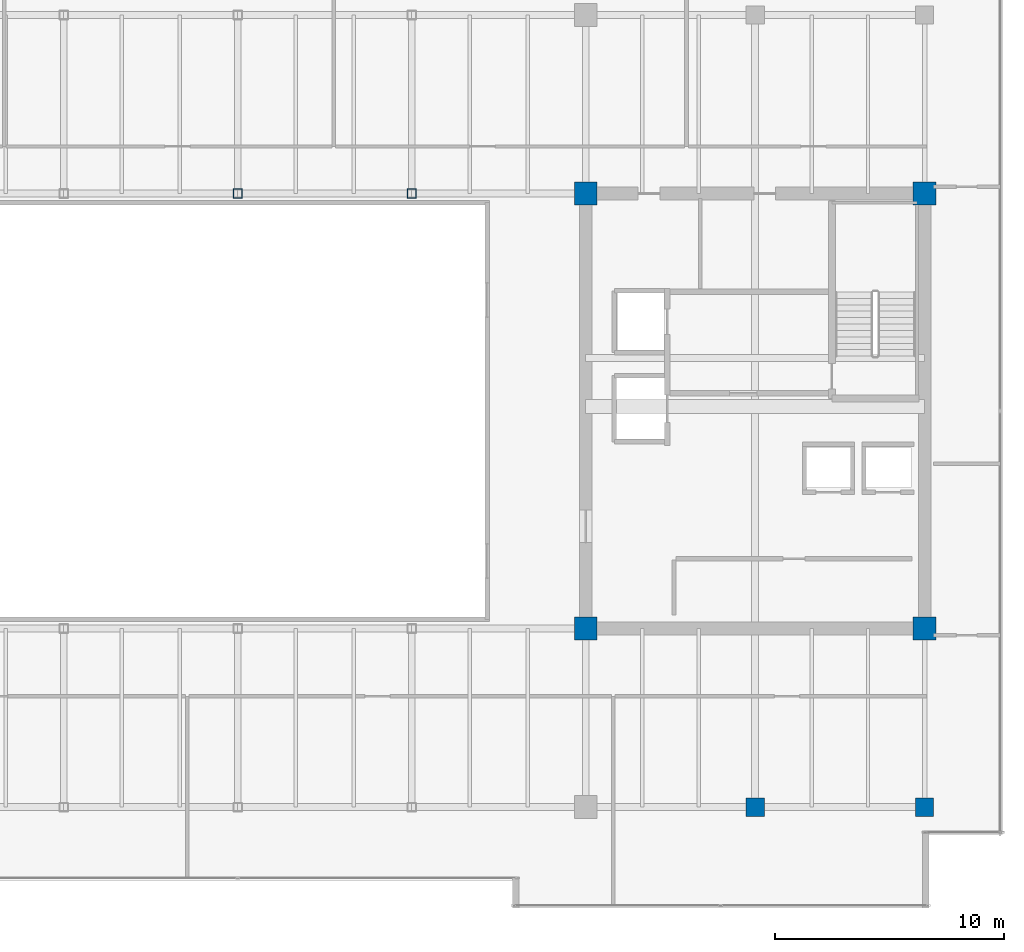
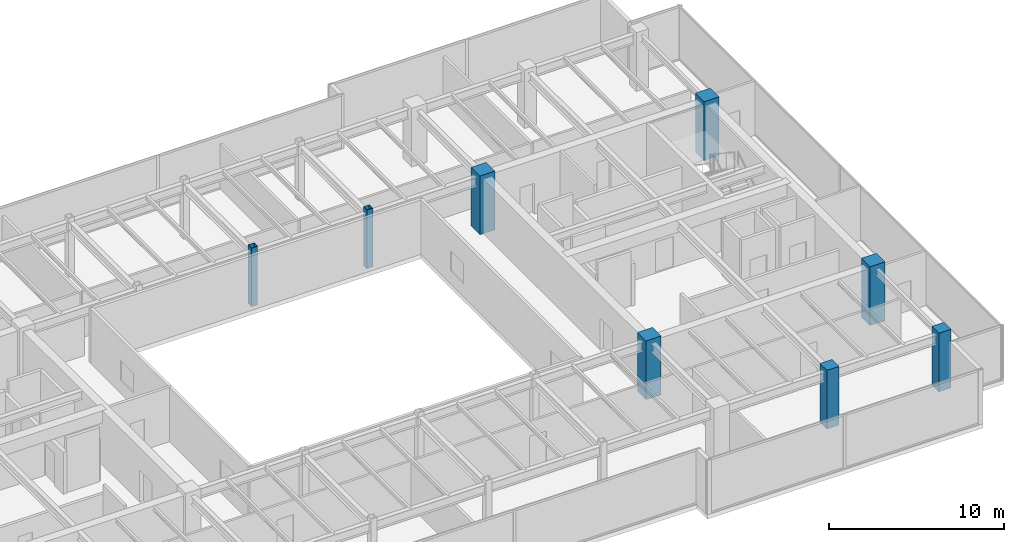
# One storey, part 2 of 33: 8 columns.
"""IFC4 building model written with IfcOpenShell, lengths in metres."""

from ifc_helpers import new_model, si_unit, direction, frame, origin, origin_2d, place, context, subcontext, project, spatial, rectangle, hollow_rectangle, extrude, source, transform, mapped, material, material_profile, profile_set, type_object, type_shapes, element, save


model = new_model("IFC4")

# Units and contexts
model_context = context("Model", 3, precision=1e-05, world=origin(), true_north=direction((0.0, 1.0)))
body_context = subcontext(model_context, "Body", "Model", "MODEL_VIEW")
ifc_project = project(units=[si_unit("LENGTHUNIT", "METRE"), si_unit("AREAUNIT", "SQUARE_METRE"), si_unit("VOLUMEUNIT", "CUBIC_METRE"), si_unit("PLANEANGLEUNIT", "RADIAN"), si_unit("MASSUNIT", "GRAM", prefix="KILO")], contexts=[model_context])

# Site, building, storey
site_placement = place(None, origin())
site = spatial("IfcSite", under=ifc_project, at=site_placement, CompositionType="ELEMENT")
building_placement = place(site_placement, origin())
building = spatial("IfcBuilding", under=site, at=building_placement, Name="Haelvirn Gate Laboratories", CompositionType="ELEMENT")
storey_placement = place(building_placement, frame((0.0, 0.0, 217.800048828125)))
storey = spatial("IfcBuildingStorey", under=building, at=storey_placement, Name="L52", CompositionType="ELEMENT", Elevation=217.800048828125)

# Columns
ifc_material_1 = material(Name="Concrete C60/75", Category="concrete")
ifc_material_profile_1 = material_profile(ifc_material_1, rectangle(XDim=1.0, YDim=1.0, at=origin_2d()), Name="RC-1000x1000")
ifc_profile_set_1 = profile_set([ifc_material_profile_1], Name="Concrete C60/75")
column_type_1 = type_object("IfcColumnType", Name="COL-RC-1000", PredefinedType="COLUMN", material=ifc_profile_set_1)
shared_shape_1 = source(origin(), body_context, "Body", "SweptSolid", [
    extrude(rectangle(XDim=1.0, YDim=1.0, at=origin_2d()), origin(), (0.0, 0.0, 1.0), 4.099853515625),
])
type_shapes(column_type_1, [shared_shape_1])
for number, where, z_axis, x_axis, name in (
    (1, (52.60009765625, 14.800048828125, 0.0), (0.0, 0.0, 1.0), (1.0, 0.0, 0.0), "L52 Column 8C"),
    (2, (67.39990234375, 14.800048828125, 0.0), (0.0, 0.0, 1.0), (1.0, 0.0, 0.0), "L52 Column 10C"),
    (3, (52.60009765625, 33.800048828125, 0.0), (0.0, 0.0, 1.0), (1.0, 0.0, 0.0), "L52 Column 8F"),
    (4, (67.39990234375, 33.800048828125, 0.0), (0.0, 0.0, 1.0), (1.0, 0.0, 0.0), "L52 Column 10F"),
):
    element("IfcColumn", number, at=place(storey_placement, frame(where, z_axis=z_axis, x_axis=x_axis)), inside=storey, type_object=column_type_1, Name=name, PredefinedType="COLUMN", context=body_context, shape_type="MappedRepresentation", body=[
        mapped(shared_shape_1, transform((0.0, 0.0, 0.0), scale=1.0)),
    ])
ifc_material_2 = material(Name="Concrete C50/60", Category="concrete")
ifc_material_profile_2 = material_profile(ifc_material_2, rectangle(XDim=0.800048828125, YDim=0.800048828125, at=origin_2d()), Name="RC-800x800")
ifc_profile_set_2 = profile_set([ifc_material_profile_2], Name="Concrete C50/60")
column_type_2 = type_object("IfcColumnType", Name="COL-RC-800", PredefinedType="COLUMN", material=ifc_profile_set_2)
shared_shape_2 = source(origin(), body_context, "Body", "SweptSolid", [
    extrude(rectangle(XDim=0.800048828125, YDim=0.800048828125, at=origin_2d()), origin(), (0.0, 0.0, 1.0), 4.099853515625),
])
type_shapes(column_type_2, [shared_shape_2])
for number, where, z_axis, x_axis, name in (
    (5, (60.0, 7.0, 0.0), (0.0, 0.0, 1.0), (1.0, 0.0, 0.0), "L52 Column 9B"),
    (6, (67.39990234375, 7.0, 0.0), (0.0, 0.0, 1.0), (1.0, 0.0, 0.0), "L52 Column 10B"),
):
    element("IfcColumn", number, at=place(storey_placement, frame(where, z_axis=z_axis, x_axis=x_axis)), inside=storey, type_object=column_type_2, Name=name, PredefinedType="COLUMN", context=body_context, shape_type="MappedRepresentation", body=[
        mapped(shared_shape_2, transform((0.0, 0.0, 0.0), scale=1.0)),
    ])
ifc_material_3 = material(Name="Steel SM355", Category="steel")
ifc_material_profile_3 = material_profile(ifc_material_3, hollow_rectangle(XDim=0.39990234375, YDim=0.39990234375, WallThickness=0.01904296875, at=origin_2d()), Name="BOX-400x400x19")
ifc_profile_set_3 = profile_set([ifc_material_profile_3], Name="Steel SM355")
column_type_3 = type_object("IfcColumnType", Name="COL-BOX-400", PredefinedType="COLUMN", material=ifc_profile_set_3)
shared_shape_3 = source(origin(), body_context, "Body", "SweptSolid", [
    extrude(hollow_rectangle(XDim=0.39990234375, YDim=0.39990234375, WallThickness=0.01904296875, at=origin_2d()), origin(), (0.0, 0.0, 1.0), 4.099853515625),
])
type_shapes(column_type_3, [shared_shape_3])
for number, where, z_axis, x_axis, name in (
    (7, (37.39990234375, 33.800048828125, 0.0), (0.0, 0.0, 1.0), (1.0, 0.0, 0.0), "L52 Column 6F"),
    (8, (45.0, 33.800048828125, 0.0), (0.0, 0.0, 1.0), (1.0, 0.0, 0.0), "L52 Column 7F"),
):
    element("IfcColumn", number, at=place(storey_placement, frame(where, z_axis=z_axis, x_axis=x_axis)), inside=storey, type_object=column_type_3, Name=name, PredefinedType="COLUMN", context=body_context, shape_type="MappedRepresentation", body=[
        mapped(shared_shape_3, transform((0.0, 0.0, 0.0), scale=1.0)),
    ])

save(model, "model.ifc")
